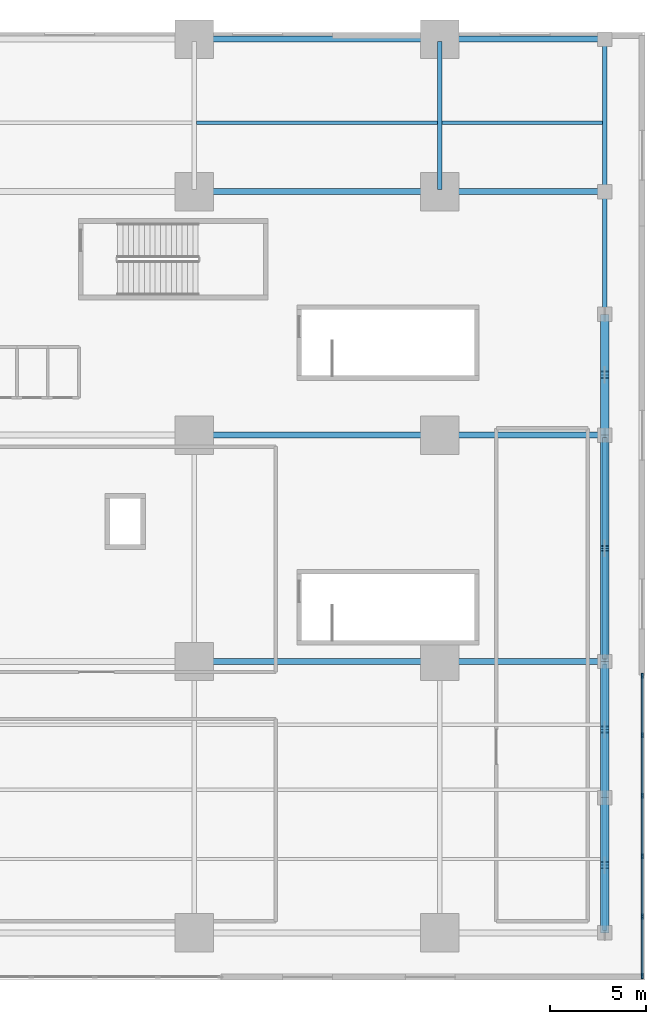
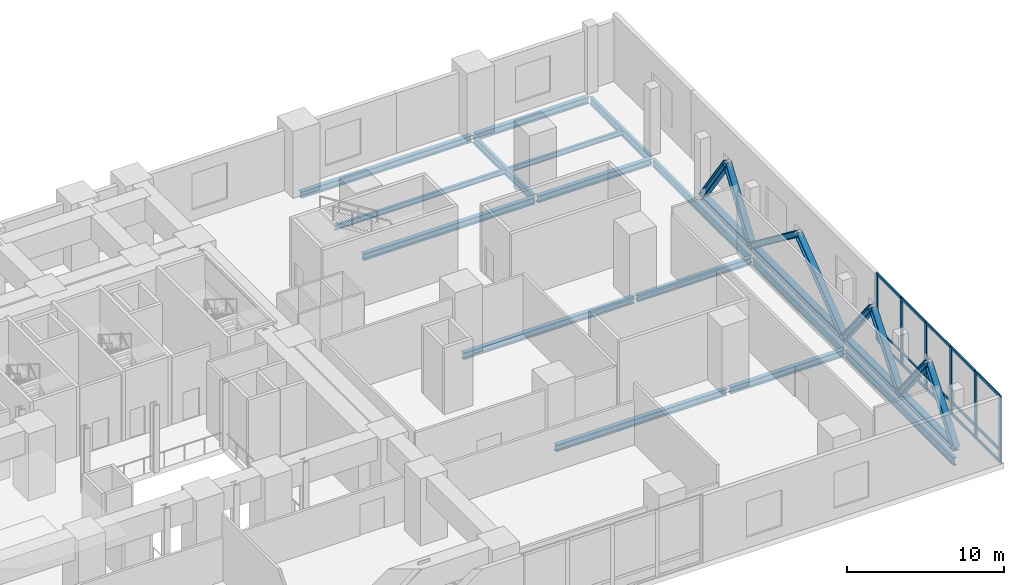
# One storey, part 6 of 17: 33 members, 15 beams, 1 element without a shape of its own.
"""IFC4 building model written with IfcOpenShell, lengths in metres."""

from ifc_helpers import new_model, si_unit, direction, frame, origin, origin_2d, place, context, subcontext, project, spatial, rectangle, i_section, extrude, source, transform, mapped, material, material_profile, profile_set, type_object, element, aggregate, save


model = new_model("IFC4")

# Units and contexts
model_context = context("Model", 3, precision=1e-05, world=origin(), true_north=direction((0.0, 1.0)))
body_context = subcontext(model_context, "Body", "Model", "MODEL_VIEW")
ifc_project = project(units=[si_unit("LENGTHUNIT", "METRE"), si_unit("AREAUNIT", "SQUARE_METRE"), si_unit("VOLUMEUNIT", "CUBIC_METRE"), si_unit("PLANEANGLEUNIT", "RADIAN"), si_unit("MASSUNIT", "GRAM", prefix="KILO")], contexts=[model_context])

# Site, building, storey
site_placement = place(None, origin())
site = spatial("IfcSite", under=ifc_project, at=site_placement, CompositionType="ELEMENT")
building_placement = place(site_placement, origin())
building = spatial("IfcBuilding", under=site, at=building_placement, Name="Vardaveli Station Tower", CompositionType="ELEMENT")
storey_placement = place(building_placement, frame((0.0, 0.0, 11.39990234375)))
storey = spatial("IfcBuildingStorey", under=building, at=storey_placement, Name="L03", CompositionType="ELEMENT", Elevation=11.39990234375)

# Members
ifc_material_1 = material(Name="Structural steel S460M", Category="steel")
ifc_material_profile_1 = material_profile(ifc_material_1, i_section(OverallWidth=0.427978515625, OverallDepth=0.48095703125, WebThickness=0.03955078125, FlangeThickness=0.0634765625, FilletRadius=0.014892578125, at=origin_2d()), Name="HD 400x677")
ifc_profile_set_1 = profile_set([ifc_material_profile_1], Name="Structural steel S460M")
member_type_1 = type_object("IfcMemberType", Name="MEM-CH-HD677", PredefinedType="CHORD", material=ifc_profile_set_1)
shared_shape_1 = source(origin(), body_context, "Body", "SweptSolid", [
    extrude(i_section(OverallWidth=0.427978515625, OverallDepth=0.48095703125, WebThickness=0.03955078125, FlangeThickness=0.0634765625, FilletRadius=0.014892578125, at=origin_2d()), origin(), (0.0, 0.0, 1.0), 11.7998046875),
])
member_1_placement = place(storey_placement, frame((81.39990234375, 17.10009765625, 0.4501953125), z_axis=(0.0, 1.0, 0.0), x_axis=(-1.0, 0.0, 0.0)))
element("IfcMember", 1, at=member_1_placement, inside=storey, type_object=member_type_1, Name="TTR-CH-07", PredefinedType="CHORD", context=body_context, shape_type="MappedRepresentation", body=[
    mapped(shared_shape_1, transform((0.0, 0.0, 0.0), scale=1.0)),
])
ifc_material_profile_2 = material_profile(ifc_material_1, i_section(OverallWidth=0.424072265625, OverallDepth=0.465087890625, WebThickness=0.034912109375, FlangeThickness=0.055908203125, FilletRadius=0.014892578125, at=origin_2d()), Name="HD 400x592")
ifc_profile_set_2 = profile_set([ifc_material_profile_2], Name="Structural steel S460M")
member_type_2 = type_object("IfcMemberType", Name="MEM-BR-HD592", PredefinedType="BRACE", material=ifc_profile_set_2)
shared_shape_2 = source(origin(), body_context, "Body", "SweptSolid", [
    extrude(i_section(OverallWidth=0.424072265625, OverallDepth=0.465087890625, WebThickness=0.034912109375, FlangeThickness=0.055908203125, FilletRadius=0.014892578125, at=origin_2d()), origin(), (0.0, 0.0, 1.0), 7.420166015625),
])
for number, where, z_axis, x_axis, name in (
    (2, (81.39990234375, 17.10009765625, 0.4501953125), (0.0, 0.795117412519, 0.60645552212), (-1.0, 0.0, 0.0), "TTR-D1-07"),
    (3, (81.39990234375, 28.89990234375, 0.4501953125), (0.0, -0.795117412519, 0.60645552212), (1.0, 0.0, 0.0), "TTR-D2-07"),
):
    element("IfcMember", number, at=place(storey_placement, frame(where, z_axis=z_axis, x_axis=x_axis)), inside=storey, type_object=member_type_2, Name=name, PredefinedType="BRACE", context=body_context, shape_type="MappedRepresentation", body=[
        mapped(shared_shape_2, transform((0.0, 0.0, 0.0), scale=1.0)),
    ])
shared_shape_3 = source(origin(), body_context, "Body", "SweptSolid", [
    extrude(i_section(OverallWidth=0.427978515625, OverallDepth=0.48095703125, WebThickness=0.03955078125, FlangeThickness=0.0634765625, FilletRadius=0.014892578125, at=origin_2d()), origin(), (0.0, 0.0, 1.0), 7.050048828125),
])
member_2_placement = place(storey_placement, frame((81.39990234375, 2.949951171875, 0.4501953125), z_axis=(0.0, 1.0, 0.0), x_axis=(-1.0, 0.0, 0.0)))
element("IfcMember", 4, at=member_2_placement, inside=storey, type_object=member_type_1, Name="TTR-CH-05", PredefinedType="CHORD", context=body_context, shape_type="MappedRepresentation", body=[
    mapped(shared_shape_3, transform((0.0, 0.0, 0.0), scale=1.0)),
])
shared_shape_4 = source(origin(), body_context, "Body", "SweptSolid", [
    extrude(i_section(OverallWidth=0.424072265625, OverallDepth=0.465087890625, WebThickness=0.034912109375, FlangeThickness=0.055908203125, FilletRadius=0.014892578125, at=origin_2d()), origin(), (0.0, 0.0, 1.0), 5.71630859375),
])
for number, where, z_axis, x_axis, name in (
    (5, (81.39990234375, 2.949951171875, 0.4501953125), (0.0, 0.616677855984, 0.787215613373), (-1.0, 0.0, 0.0), "TTR-D1-05"),
    (6, (81.39990234375, 10.0, 0.4501953125), (0.0, -0.6166513877, 0.787236347006), (1.0, 0.0, 0.0), "TTR-D2-05"),
):
    element("IfcMember", number, at=place(storey_placement, frame(where, z_axis=z_axis, x_axis=x_axis)), inside=storey, type_object=member_type_2, Name=name, PredefinedType="BRACE", context=body_context, shape_type="MappedRepresentation", body=[
        mapped(shared_shape_4, transform((0.0, 0.0, 0.0), scale=1.0)),
    ])
shared_shape_5 = source(origin(), body_context, "Body", "SweptSolid", [
    extrude(i_section(OverallWidth=0.427978515625, OverallDepth=0.48095703125, WebThickness=0.03955078125, FlangeThickness=0.0634765625, FilletRadius=0.014892578125, at=origin_2d()), origin(), (0.0, 0.0, 1.0), 7.10009765625),
])
member_3_placement = place(storey_placement, frame((81.39990234375, 10.0, 0.4501953125), z_axis=(0.0, 1.0, 0.0), x_axis=(-1.0, 0.0, 0.0)))
element("IfcMember", 7, at=member_3_placement, inside=storey, type_object=member_type_1, Name="TTR-CH-06", PredefinedType="CHORD", context=body_context, shape_type="MappedRepresentation", body=[
    mapped(shared_shape_5, transform((0.0, 0.0, 0.0), scale=1.0)),
])
shared_shape_6 = source(origin(), body_context, "Body", "SweptSolid", [
    extrude(i_section(OverallWidth=0.424072265625, OverallDepth=0.465087890625, WebThickness=0.034912109375, FlangeThickness=0.055908203125, FilletRadius=0.014892578125, at=origin_2d()), origin(), (0.0, 0.0, 1.0), 5.731689453125),
])
for number, where, z_axis, x_axis, name in (
    (8, (81.39990234375, 10.0, 0.4501953125), (0.0, 0.619366658691, 0.785101867341), (-1.0, 0.0, 0.0), "TTR-D1-06"),
    (9, (81.39990234375, 17.10009765625, 0.4501953125), (0.0, -0.619366658691, 0.785101867341), (1.0, 0.0, 0.0), "TTR-D2-06"),
):
    element("IfcMember", number, at=place(storey_placement, frame(where, z_axis=z_axis, x_axis=x_axis)), inside=storey, type_object=member_type_2, Name=name, PredefinedType="BRACE", context=body_context, shape_type="MappedRepresentation", body=[
        mapped(shared_shape_6, transform((0.0, 0.0, 0.0), scale=1.0)),
    ])
shared_shape_7 = source(origin(), body_context, "Body", "SweptSolid", [
    extrude(i_section(OverallWidth=0.427978515625, OverallDepth=0.48095703125, WebThickness=0.03955078125, FlangeThickness=0.0634765625, FilletRadius=0.014892578125, at=origin_2d()), origin(), (0.0, 0.0, 1.0), 6.300048828125),
])
member_4_placement = place(storey_placement, frame((81.39990234375, 28.89990234375, 0.4501953125), z_axis=(0.0, 1.0, 0.0), x_axis=(-1.0, 0.0, 0.0)))
element("IfcMember", 10, at=member_4_placement, inside=storey, type_object=member_type_1, Name="TTR-CH-08", PredefinedType="CHORD", context=body_context, shape_type="MappedRepresentation", body=[
    mapped(shared_shape_7, transform((0.0, 0.0, 0.0), scale=1.0)),
])
shared_shape_8 = source(origin(), body_context, "Body", "SweptSolid", [
    extrude(i_section(OverallWidth=0.424072265625, OverallDepth=0.465087890625, WebThickness=0.034912109375, FlangeThickness=0.055908203125, FilletRadius=0.014892578125, at=origin_2d()), origin(), (0.0, 0.0, 1.0), 5.492919921875),
])
for number, where, z_axis, x_axis, name in (
    (11, (81.39990234375, 28.89990234375, 0.4501953125), (0.0, 0.573480241742, 0.819219392063), (-1.0, 0.0, 0.0), "TTR-D1-08"),
    (12, (81.39990234375, 35.199951171875, 0.4501953125), (0.0, -0.573450412321, 0.819240272819), (1.0, 0.0, 0.0), "TTR-D2-08"),
):
    element("IfcMember", number, at=place(storey_placement, frame(where, z_axis=z_axis, x_axis=x_axis)), inside=storey, type_object=member_type_2, Name=name, PredefinedType="BRACE", context=body_context, shape_type="MappedRepresentation", body=[
        mapped(shared_shape_8, transform((0.0, 0.0, 0.0), scale=1.0)),
    ])

# Beams
ifc_material_2 = material(Name="Structural steel S355J2", Category="steel")
ifc_material_profile_3 = material_profile(ifc_material_2, i_section(OverallWidth=0.305908203125, OverallDepth=0.52392578125, WebThickness=0.02099609375, FlangeThickness=0.0400390625, FilletRadius=0.027099609375, at=origin_2d()), Name="HEM 500")
ifc_profile_set_3 = profile_set([ifc_material_profile_3], Name="Structural steel S355J2")
beam_type_1 = type_object("IfcBeamType", Name="BM-HEM500", PredefinedType="BEAM", material=ifc_profile_set_3)
shared_shape_9 = source(origin(), body_context, "Body", "SweptSolid", [
    extrude(i_section(OverallWidth=0.305908203125, OverallDepth=0.52392578125, WebThickness=0.02099609375, FlangeThickness=0.0400390625, FilletRadius=0.027099609375, at=origin_2d()), origin(), (0.0, 0.0, 1.0), 12.559814453125),
])
for number, where, z_axis, x_axis, name in (
    (13, (60.1201171875, 17.10009765625, -0.661865234375), (1.0, 0.0, 0.0), (0.0, 1.0, 0.0), "PBM-L03-EW1-6"),
    (14, (60.1201171875, 28.89990234375, -0.661865234375), (1.0, 0.0, 0.0), (0.0, 1.0, 0.0), "PBM-L03-EWE2-1"),
    (15, (60.1201171875, 41.60009765625, -0.661865234375), (1.0, 0.0, 0.0), (0.0, 1.0, 0.0), "PBM-L03-EW3-7"),
    (16, (60.1201171875, 49.550048828125, -0.661865234375), (1.0, 0.0, 0.0), (0.0, 1.0, 0.0), "PBM-L03-EW4-6"),
):
    element("IfcBeam", number, at=place(storey_placement, frame(where, z_axis=z_axis, x_axis=x_axis)), inside=storey, type_object=beam_type_1, Name=name, PredefinedType="BEAM", context=body_context, shape_type="MappedRepresentation", body=[
        mapped(shared_shape_9, transform((0.0, 0.0, 0.0), scale=1.0)),
    ])
ifc_material_profile_4 = material_profile(ifc_material_2, i_section(OverallWidth=0.219970703125, OverallDepth=0.60009765625, WebThickness=0.011962890625, FlangeThickness=0.01904296875, FilletRadius=0.02392578125, at=origin_2d()), Name="IPE 600")
ifc_profile_set_4 = profile_set([ifc_material_profile_4], Name="Structural steel S355J2")
beam_type_2 = type_object("IfcBeamType", Name="BM-IPE600", PredefinedType="BEAM", material=ifc_profile_set_4)
shared_shape_10 = source(origin(), body_context, "Body", "SweptSolid", [
    extrude(i_section(OverallWidth=0.219970703125, OverallDepth=0.60009765625, WebThickness=0.011962890625, FlangeThickness=0.01904296875, FilletRadius=0.02392578125, at=origin_2d()), origin(), (0.0, 0.0, 1.0), 13.909912109375),
])
beam_1_placement = place(storey_placement, frame((81.39990234375, 3.070068359375, -0.699951171875), z_axis=(0.0, 1.0, 0.0), x_axis=(-1.0, 0.0, 0.0)))
element("IfcBeam", 17, at=beam_1_placement, inside=storey, type_object=beam_type_2, Name="PBM-L03-NS5-0", PredefinedType="BEAM", context=body_context, shape_type="MappedRepresentation", body=[
    mapped(shared_shape_10, transform((0.0, 0.0, 0.0), scale=1.0)),
])
shared_shape_11 = source(origin(), body_context, "Body", "SweptSolid", [
    extrude(i_section(OverallWidth=0.219970703125, OverallDepth=0.60009765625, WebThickness=0.011962890625, FlangeThickness=0.01904296875, FilletRadius=0.02392578125, at=origin_2d()), origin(), (0.0, 0.0, 1.0), 11.56005859375),
])
beam_2_placement = place(storey_placement, frame((81.39990234375, 17.219970703125, -0.699951171875), z_axis=(0.0, 1.0, 0.0), x_axis=(-1.0, 0.0, 0.0)))
element("IfcBeam", 18, at=beam_2_placement, inside=storey, type_object=beam_type_2, Name="PBM-L03-NS5-1", PredefinedType="BEAM", context=body_context, shape_type="MappedRepresentation", body=[
    mapped(shared_shape_11, transform((0.0, 0.0, 0.0), scale=1.0)),
])
shared_shape_12 = source(origin(), body_context, "Body", "SweptSolid", [
    extrude(i_section(OverallWidth=0.219970703125, OverallDepth=0.60009765625, WebThickness=0.011962890625, FlangeThickness=0.01904296875, FilletRadius=0.02392578125, at=origin_2d()), origin(), (0.0, 0.0, 1.0), 12.4599609375),
])
beam_3_placement = place(storey_placement, frame((81.39990234375, 29.02001953125, -0.699951171875), z_axis=(0.0, 1.0, 0.0), x_axis=(-1.0, 0.0, 0.0)))
element("IfcBeam", 19, at=beam_3_placement, inside=storey, type_object=beam_type_2, Name="PBM-L03-NS5-2", PredefinedType="BEAM", context=body_context, shape_type="MappedRepresentation", body=[
    mapped(shared_shape_12, transform((0.0, 0.0, 0.0), scale=1.0)),
])
shared_shape_13 = source(origin(), body_context, "Body", "SweptSolid", [
    extrude(i_section(OverallWidth=0.219970703125, OverallDepth=0.60009765625, WebThickness=0.011962890625, FlangeThickness=0.01904296875, FilletRadius=0.02392578125, at=origin_2d()), origin(), (0.0, 0.0, 1.0), 7.7099609375),
])
for number, where, z_axis, x_axis, name in (
    (20, (72.800048828125, 41.719970703125, -0.699951171875), (0.0, 1.0, 0.0), (-1.0, 0.0, 0.0), "PBM-L03-NS4-3"),
    (21, (81.39990234375, 41.719970703125, -0.699951171875), (0.0, 1.0, 0.0), (-1.0, 0.0, 0.0), "PBM-L03-NS5-3"),
):
    element("IfcBeam", number, at=place(storey_placement, frame(where, z_axis=z_axis, x_axis=x_axis)), inside=storey, type_object=beam_type_2, Name=name, PredefinedType="BEAM", context=body_context, shape_type="MappedRepresentation", body=[
        mapped(shared_shape_13, transform((0.0, 0.0, 0.0), scale=1.0)),
    ])
ifc_material_profile_5 = material_profile(ifc_material_2, i_section(OverallWidth=0.179931640625, OverallDepth=0.39990234375, WebThickness=0.008544921875, FlangeThickness=0.013427734375, FilletRadius=0.02099609375, at=origin_2d()), Name="IPE 400")
ifc_profile_set_5 = profile_set([ifc_material_profile_5], Name="Structural steel S355J2")
beam_type_3 = type_object("IfcBeamType", Name="BM-IPE400", PredefinedType="JOIST", material=ifc_profile_set_5)
shared_shape_14 = source(origin(), body_context, "Body", "SweptSolid", [
    extrude(i_section(OverallWidth=0.179931640625, OverallDepth=0.39990234375, WebThickness=0.008544921875, FlangeThickness=0.013427734375, FilletRadius=0.02099609375, at=origin_2d()), origin(), (0.0, 0.0, 1.0), 12.575927734375),
])
beam_4_placement = place(storey_placement, frame((60.112060546875, 45.199951171875, -0.599853515625), z_axis=(1.0, 0.0, 0.0), x_axis=(0.0, 1.0, 0.0)))
element("IfcBeam", 22, at=beam_4_placement, inside=storey, type_object=beam_type_3, Name="PJ-L03-4-3", PredefinedType="JOIST", context=body_context, shape_type="MappedRepresentation", body=[
    mapped(shared_shape_14, transform((0.0, 0.0, 0.0), scale=1.0)),
])
shared_shape_15 = source(origin(), body_context, "Body", "SweptSolid", [
    extrude(i_section(OverallWidth=0.305908203125, OverallDepth=0.52392578125, WebThickness=0.02099609375, FlangeThickness=0.0400390625, FilletRadius=0.027099609375, at=origin_2d()), origin(), (0.0, 0.0, 1.0), 8.360107421875),
])
for number, where, z_axis, x_axis, name in (
    (23, (72.919921875, 17.10009765625, -0.661865234375), (1.0, 0.0, 0.0), (0.0, 1.0, 0.0), "PBM-L03-EW1-7"),
    (24, (72.919921875, 28.89990234375, -0.661865234375), (1.0, 0.0, 0.0), (0.0, 1.0, 0.0), "PBM-L03-EWE2-2"),
    (25, (72.919921875, 41.60009765625, -0.661865234375), (1.0, 0.0, 0.0), (0.0, 1.0, 0.0), "PBM-L03-EW3-8"),
    (26, (72.919921875, 49.550048828125, -0.661865234375), (1.0, 0.0, 0.0), (0.0, 1.0, 0.0), "PBM-L03-EW4-7"),
):
    element("IfcBeam", number, at=place(storey_placement, frame(where, z_axis=z_axis, x_axis=x_axis)), inside=storey, type_object=beam_type_1, Name=name, PredefinedType="BEAM", context=body_context, shape_type="MappedRepresentation", body=[
        mapped(shared_shape_15, transform((0.0, 0.0, 0.0), scale=1.0)),
    ])
shared_shape_16 = source(origin(), body_context, "Body", "SweptSolid", [
    extrude(i_section(OverallWidth=0.179931640625, OverallDepth=0.39990234375, WebThickness=0.008544921875, FlangeThickness=0.013427734375, FilletRadius=0.02099609375, at=origin_2d()), origin(), (0.0, 0.0, 1.0), 8.3759765625),
])
beam_5_placement = place(storey_placement, frame((72.912109375, 45.199951171875, -0.599853515625), z_axis=(1.0, 0.0, 0.0), x_axis=(0.0, 1.0, 0.0)))
element("IfcBeam", 27, at=beam_5_placement, inside=storey, type_object=beam_type_3, Name="PJ-L03-4-4", PredefinedType="JOIST", context=body_context, shape_type="MappedRepresentation", body=[
    mapped(shared_shape_16, transform((0.0, 0.0, 0.0), scale=1.0)),
])

# Curtain wall, members
ifc_material_3 = material(Name="Travertine stone and solar-control glass", Category="masonry")
curtain_wall_type = type_object("IfcCurtainWallType", Name="CW-SYS-1", PredefinedType="NOTDEFINED", material=ifc_material_3)
curtain_wall_placement = place(storey_placement, origin())
curtain_wall = element("IfcCurtainWall", 28, at=curtain_wall_placement, inside=storey, type_object=curtain_wall_type, Name="CW-L03-E1", PredefinedType="NOTDEFINED")
ifc_material_4 = material(Name="Anodised aluminium alloy 6063-T6", Category="aluminium")
ifc_material_profile_6 = material_profile(ifc_material_4, rectangle(XDim=0.094970703125, YDim=0.2099609375, at=origin_2d()), Name="CWT 95x210")
ifc_profile_set_6 = profile_set([ifc_material_profile_6], Name="Anodised aluminium alloy 6063-T6")
member_type_3 = type_object("IfcMemberType", Name="CW-SYS-1-TRAN", PredefinedType="NOTDEFINED", material=ifc_profile_set_6)
shared_shape_17 = source(origin(), body_context, "Body", "SweptSolid", [
    extrude(rectangle(XDim=0.094970703125, YDim=0.2099609375, at=origin_2d()), origin(), (0.0, 0.0, 1.0), 3.00732421875),
])
member_5_placement = place(storey_placement, frame((83.35009765625, 0.7451171875, 0.047607421875), z_axis=(0.0, 1.0, 0.0), x_axis=(-1.0, 0.0, 0.0)))
member_5 = element("IfcMember", 29, at=member_5_placement, type_object=member_type_3, Name="CW-1 transom 1.1", ObjectType="TRANSOM", PredefinedType="USERDEFINED", context=body_context, shape_type="MappedRepresentation", body=[
    mapped(shared_shape_17, transform((0.0, 0.0, 0.0), scale=1.0)),
])
member_6_placement = place(storey_placement, frame((83.35009765625, 0.7451171875, 0.9501953125), z_axis=(0.0, 1.0, 0.0), x_axis=(-1.0, 0.0, 0.0)))
member_6 = element("IfcMember", 30, at=member_6_placement, type_object=member_type_3, Name="CW-1 transom 1.2", ObjectType="TRANSOM", PredefinedType="USERDEFINED", context=body_context, shape_type="MappedRepresentation", body=[
    mapped(shared_shape_17, transform((0.0, 0.0, 0.0), scale=1.0)),
])
member_7_placement = place(storey_placement, frame((83.35009765625, 0.7451171875, 5.152587890625), z_axis=(0.0, 1.0, 0.0), x_axis=(-1.0, 0.0, 0.0)))
member_7 = element("IfcMember", 31, at=member_7_placement, type_object=member_type_3, Name="CW-1 transom 1.3", ObjectType="TRANSOM", PredefinedType="USERDEFINED", context=body_context, shape_type="MappedRepresentation", body=[
    mapped(shared_shape_17, transform((0.0, 0.0, 0.0), scale=1.0)),
])
member_8_placement = place(storey_placement, frame((83.35009765625, 13.297607421875, 0.047607421875), z_axis=(0.0, 1.0, 0.0), x_axis=(-1.0, 0.0, 0.0)))
member_8 = element("IfcMember", 32, at=member_8_placement, type_object=member_type_3, Name="CW-1 transom 5.1", ObjectType="TRANSOM", PredefinedType="USERDEFINED", context=body_context, shape_type="MappedRepresentation", body=[
    mapped(shared_shape_17, transform((0.0, 0.0, 0.0), scale=1.0)),
])
member_9_placement = place(storey_placement, frame((83.35009765625, 13.297607421875, 0.9501953125), z_axis=(0.0, 1.0, 0.0), x_axis=(-1.0, 0.0, 0.0)))
member_9 = element("IfcMember", 33, at=member_9_placement, type_object=member_type_3, Name="CW-1 transom 5.2", ObjectType="TRANSOM", PredefinedType="USERDEFINED", context=body_context, shape_type="MappedRepresentation", body=[
    mapped(shared_shape_17, transform((0.0, 0.0, 0.0), scale=1.0)),
])
member_10_placement = place(storey_placement, frame((83.35009765625, 13.297607421875, 5.152587890625), z_axis=(0.0, 1.0, 0.0), x_axis=(-1.0, 0.0, 0.0)))
member_10 = element("IfcMember", 34, at=member_10_placement, type_object=member_type_3, Name="CW-1 transom 5.3", ObjectType="TRANSOM", PredefinedType="USERDEFINED", context=body_context, shape_type="MappedRepresentation", body=[
    mapped(shared_shape_17, transform((0.0, 0.0, 0.0), scale=1.0)),
])
shared_shape_18 = source(origin(), body_context, "Body", "SweptSolid", [
    extrude(rectangle(XDim=0.094970703125, YDim=0.2099609375, at=origin_2d()), origin(), (0.0, 0.0, 1.0), 3.05517578125),
])
member_11_placement = place(storey_placement, frame((83.35009765625, 3.847412109375, 0.047607421875), z_axis=(0.0, 1.0, 0.0), x_axis=(-1.0, 0.0, 0.0)))
member_11 = element("IfcMember", 35, at=member_11_placement, type_object=member_type_3, Name="CW-1 transom 2.1", ObjectType="TRANSOM", PredefinedType="USERDEFINED", context=body_context, shape_type="MappedRepresentation", body=[
    mapped(shared_shape_18, transform((0.0, 0.0, 0.0), scale=1.0)),
])
member_12_placement = place(storey_placement, frame((83.35009765625, 3.847412109375, 0.9501953125), z_axis=(0.0, 1.0, 0.0), x_axis=(-1.0, 0.0, 0.0)))
member_12 = element("IfcMember", 36, at=member_12_placement, type_object=member_type_3, Name="CW-1 transom 2.2", ObjectType="TRANSOM", PredefinedType="USERDEFINED", context=body_context, shape_type="MappedRepresentation", body=[
    mapped(shared_shape_18, transform((0.0, 0.0, 0.0), scale=1.0)),
])
member_13_placement = place(storey_placement, frame((83.35009765625, 3.847412109375, 5.152587890625), z_axis=(0.0, 1.0, 0.0), x_axis=(-1.0, 0.0, 0.0)))
member_13 = element("IfcMember", 37, at=member_13_placement, type_object=member_type_3, Name="CW-1 transom 2.3", ObjectType="TRANSOM", PredefinedType="USERDEFINED", context=body_context, shape_type="MappedRepresentation", body=[
    mapped(shared_shape_18, transform((0.0, 0.0, 0.0), scale=1.0)),
])
shared_shape_19 = source(origin(), body_context, "Body", "SweptSolid", [
    extrude(rectangle(XDim=0.094970703125, YDim=0.2099609375, at=origin_2d()), origin(), (0.0, 0.0, 1.0), 3.054931640625),
])
member_14_placement = place(storey_placement, frame((83.35009765625, 6.99755859375, 0.047607421875), z_axis=(0.0, 1.0, 0.0), x_axis=(-1.0, 0.0, 0.0)))
member_14 = element("IfcMember", 38, at=member_14_placement, type_object=member_type_3, Name="CW-1 transom 3.1", ObjectType="TRANSOM", PredefinedType="USERDEFINED", context=body_context, shape_type="MappedRepresentation", body=[
    mapped(shared_shape_19, transform((0.0, 0.0, 0.0), scale=1.0)),
])
member_15_placement = place(storey_placement, frame((83.35009765625, 6.99755859375, 0.9501953125), z_axis=(0.0, 1.0, 0.0), x_axis=(-1.0, 0.0, 0.0)))
member_15 = element("IfcMember", 39, at=member_15_placement, type_object=member_type_3, Name="CW-1 transom 3.2", ObjectType="TRANSOM", PredefinedType="USERDEFINED", context=body_context, shape_type="MappedRepresentation", body=[
    mapped(shared_shape_19, transform((0.0, 0.0, 0.0), scale=1.0)),
])
member_16_placement = place(storey_placement, frame((83.35009765625, 6.99755859375, 5.152587890625), z_axis=(0.0, 1.0, 0.0), x_axis=(-1.0, 0.0, 0.0)))
member_16 = element("IfcMember", 40, at=member_16_placement, type_object=member_type_3, Name="CW-1 transom 3.3", ObjectType="TRANSOM", PredefinedType="USERDEFINED", context=body_context, shape_type="MappedRepresentation", body=[
    mapped(shared_shape_19, transform((0.0, 0.0, 0.0), scale=1.0)),
])
member_17_placement = place(storey_placement, frame((83.35009765625, 10.1474609375, 0.047607421875), z_axis=(0.0, 1.0, 0.0), x_axis=(-1.0, 0.0, 0.0)))
member_17 = element("IfcMember", 41, at=member_17_placement, type_object=member_type_3, Name="CW-1 transom 4.1", ObjectType="TRANSOM", PredefinedType="USERDEFINED", context=body_context, shape_type="MappedRepresentation", body=[
    mapped(shared_shape_19, transform((0.0, 0.0, 0.0), scale=1.0)),
])
member_18_placement = place(storey_placement, frame((83.35009765625, 10.1474609375, 0.9501953125), z_axis=(0.0, 1.0, 0.0), x_axis=(-1.0, 0.0, 0.0)))
member_18 = element("IfcMember", 42, at=member_18_placement, type_object=member_type_3, Name="CW-1 transom 4.2", ObjectType="TRANSOM", PredefinedType="USERDEFINED", context=body_context, shape_type="MappedRepresentation", body=[
    mapped(shared_shape_19, transform((0.0, 0.0, 0.0), scale=1.0)),
])
member_19_placement = place(storey_placement, frame((83.35009765625, 10.1474609375, 5.152587890625), z_axis=(0.0, 1.0, 0.0), x_axis=(-1.0, 0.0, 0.0)))
member_19 = element("IfcMember", 43, at=member_19_placement, type_object=member_type_3, Name="CW-1 transom 4.3", ObjectType="TRANSOM", PredefinedType="USERDEFINED", context=body_context, shape_type="MappedRepresentation", body=[
    mapped(shared_shape_19, transform((0.0, 0.0, 0.0), scale=1.0)),
])
ifc_material_profile_7 = material_profile(ifc_material_4, rectangle(XDim=0.094970703125, YDim=0.27001953125, at=origin_2d()), Name="CWM 95x270")
ifc_profile_set_7 = profile_set([ifc_material_profile_7], Name="Anodised aluminium alloy 6063-T6")
member_type_4 = type_object("IfcMemberType", Name="CW-SYS-1-MULL", PredefinedType="MULLION", material=ifc_profile_set_7)
shared_shape_20 = source(origin(), body_context, "Body", "SweptSolid", [
    extrude(rectangle(XDim=0.094970703125, YDim=0.27001953125, at=origin_2d()), origin(), (0.0, 0.0, 1.0), 5.2001953125),
])
member_20_placement = place(storey_placement, frame((83.35009765625, 0.697509765625, 0.0), z_axis=(0.0, 0.0, 1.0), x_axis=(-1.0, 0.0, 0.0)))
member_20 = element("IfcMember", 44, at=member_20_placement, type_object=member_type_4, Name="CW-1 mullion 1", PredefinedType="MULLION", context=body_context, shape_type="MappedRepresentation", body=[
    mapped(shared_shape_20, transform((0.0, 0.0, 0.0), scale=1.0)),
])
member_21_placement = place(storey_placement, frame((83.35009765625, 3.800048828125, 0.0), z_axis=(0.0, 0.0, 1.0), x_axis=(-1.0, 0.0, 0.0)))
member_21 = element("IfcMember", 45, at=member_21_placement, type_object=member_type_4, Name="CW-1 mullion 2", PredefinedType="MULLION", context=body_context, shape_type="MappedRepresentation", body=[
    mapped(shared_shape_20, transform((0.0, 0.0, 0.0), scale=1.0)),
])
member_22_placement = place(storey_placement, frame((83.35009765625, 6.949951171875, 0.0), z_axis=(0.0, 0.0, 1.0), x_axis=(-1.0, 0.0, 0.0)))
member_22 = element("IfcMember", 46, at=member_22_placement, type_object=member_type_4, Name="CW-1 mullion 3", PredefinedType="MULLION", context=body_context, shape_type="MappedRepresentation", body=[
    mapped(shared_shape_20, transform((0.0, 0.0, 0.0), scale=1.0)),
])
member_23_placement = place(storey_placement, frame((83.35009765625, 10.10009765625, 0.0), z_axis=(0.0, 0.0, 1.0), x_axis=(-1.0, 0.0, 0.0)))
member_23 = element("IfcMember", 47, at=member_23_placement, type_object=member_type_4, Name="CW-1 mullion 4", PredefinedType="MULLION", context=body_context, shape_type="MappedRepresentation", body=[
    mapped(shared_shape_20, transform((0.0, 0.0, 0.0), scale=1.0)),
])
member_24_placement = place(storey_placement, frame((83.35009765625, 13.25, 0.0), z_axis=(0.0, 0.0, 1.0), x_axis=(-1.0, 0.0, 0.0)))
member_24 = element("IfcMember", 48, at=member_24_placement, type_object=member_type_4, Name="CW-1 mullion 5", PredefinedType="MULLION", context=body_context, shape_type="MappedRepresentation", body=[
    mapped(shared_shape_20, transform((0.0, 0.0, 0.0), scale=1.0)),
])
member_25_placement = place(storey_placement, frame((83.35009765625, 16.3525390625, 0.0), z_axis=(0.0, 0.0, 1.0), x_axis=(-1.0, 0.0, 0.0)))
member_25 = element("IfcMember", 49, at=member_25_placement, type_object=member_type_4, Name="CW-1 mullion 6", PredefinedType="MULLION", context=body_context, shape_type="MappedRepresentation", body=[
    mapped(shared_shape_20, transform((0.0, 0.0, 0.0), scale=1.0)),
])
aggregate(curtain_wall, [member_20, member_21, member_22, member_23, member_24, member_25, member_5, member_6, member_7, member_11, member_12, member_13, member_14, member_15, member_16, member_17, member_18, member_19, member_8, member_9, member_10])

save(model, "model.ifc")
